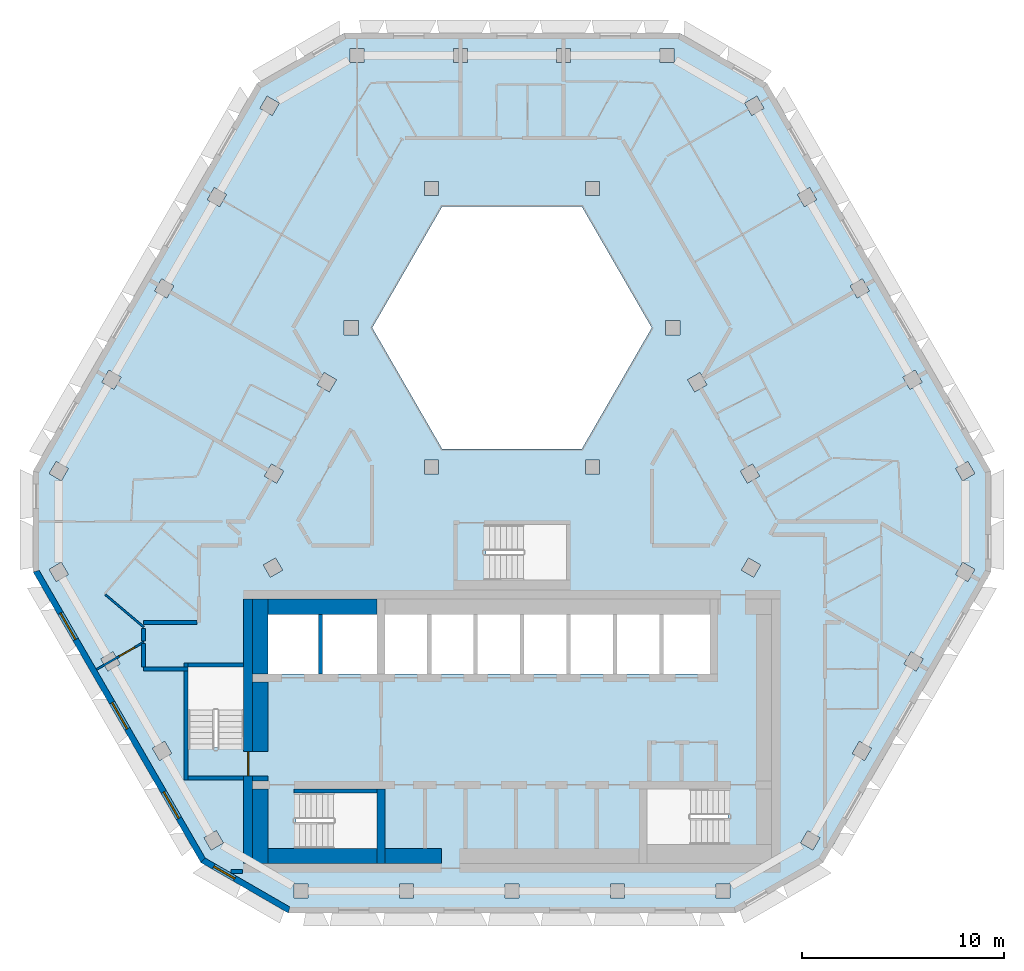
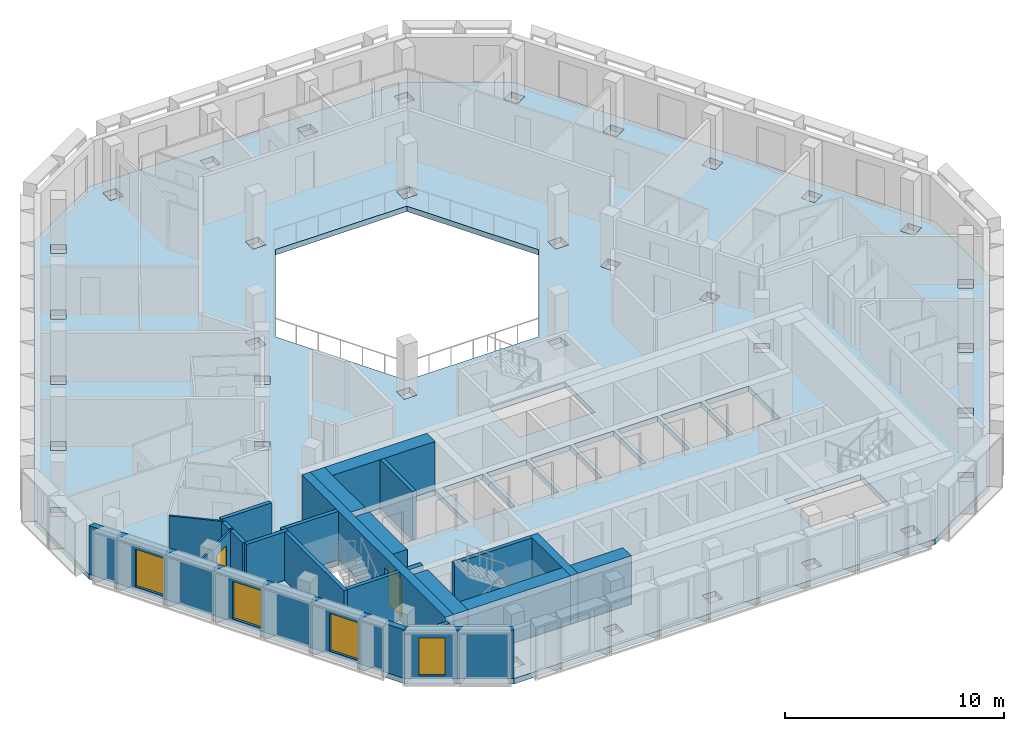
# One storey, part 2 of 15: 23 walls, 4 windows, 2 doors, 1 slab, 6 openings.
"""IFC4 building model written with IfcOpenShell, lengths in metres."""

from ifc_helpers import new_model, si_unit, direction, frame, frame_2d, origin, place, context, subcontext, project, spatial, polyline, rectangle, outline, extrude, material, layer, layer_set, type_object, element, fill, save


model = new_model("IFC4")

# Units and contexts
model_context = context("Model", 3, precision=1e-05, world=origin(), true_north=direction((0.0, 1.0)))
body_context = subcontext(model_context, "Body", "Model", "MODEL_VIEW")
ifc_project = project(units=[si_unit("LENGTHUNIT", "METRE"), si_unit("AREAUNIT", "SQUARE_METRE"), si_unit("VOLUMEUNIT", "CUBIC_METRE"), si_unit("PLANEANGLEUNIT", "RADIAN"), si_unit("MASSUNIT", "GRAM", prefix="KILO")], contexts=[model_context])

# Site, building, storey
site_placement = place(None, origin())
site = spatial("IfcSite", under=ifc_project, at=site_placement, CompositionType="ELEMENT")
building_placement = place(site_placement, origin())
building = spatial("IfcBuilding", under=site, at=building_placement, Name="Beryl Residences", CompositionType="ELEMENT")
storey_placement = place(building_placement, frame((0.0, 0.0, 205.800048828125)))
storey = spatial("IfcBuildingStorey", under=building, at=storey_placement, Name="L63", CompositionType="ELEMENT", Elevation=205.800048828125)

# Slab
ifc_material_1 = material(Name="Concrete C40/50", Category="concrete")
ifc_layer_1 = layer(ifc_material_1, 0.300048828125)
ifc_layer_set_1 = layer_set([ifc_layer_1], Name="SL7 PT floor slab 300 mm C40/50")
slab_type = type_object("IfcSlabType", Name="SL7 PT floor slab 300 mm C40/50", PredefinedType="FLOOR", material=ifc_layer_set_1)
slab_placement = place(storey_placement, frame((0.0, 0.0, -0.300048828125)))
element("IfcSlab", 1, at=slab_placement, inside=storey, type_object=slab_type, Name="L63 slab 1", PredefinedType="FLOOR", context=body_context, shape_type="SweptSolid", body=[
    extrude(outline(polyline([(23.72900390625, -4.10009765625), (15.4150390625, -18.5), (11.0849609375, -21.0), (-11.0849609375, -21.0), (-15.4150390625, -18.5), (-23.72900390625, -4.10009765625), (-23.72900390625, 0.89990234375), (-12.64404296875, 20.10009765625), (-8.31396484375, 22.60009765625), (8.31396484375, 22.60009765625), (12.64404296875, 20.10009765625), (23.72900390625, 0.89990234375), (23.72900390625, -4.10009765625)]), holes=[polyline([(21.97998046875, 1.028076171875), (22.330078125, 0.422119140625), (22.93603515625, 0.77197265625), (22.5859375, 1.3779296875), (21.97998046875, 1.028076171875)]), polyline([(21.97998046875, -4.22900390625), (22.5859375, -4.5791015625), (22.93603515625, -3.972900390625), (22.330078125, -3.623046875), (21.97998046875, -4.22900390625)]), polyline([(19.77099609375, -8.055908203125), (19.4208984375, -8.662109375), (20.027099609375, -9.011962890625), (20.376953125, -8.406005859375), (19.77099609375, -8.055908203125)]), polyline([(19.367919921875, 5.552978515625), (19.718017578125, 4.947021484375), (20.323974609375, 5.297119140625), (19.97412109375, 5.903076171875), (19.367919921875, 5.552978515625)]), polyline([(17.2109375, -12.489013671875), (16.861083984375, -13.094970703125), (17.467041015625, -13.445068359375), (17.81689453125, -12.839111328125), (17.2109375, -12.489013671875)]), polyline([(17.361083984375, 10.427978515625), (16.7548828125, 10.077880859375), (17.10498046875, 9.471923828125), (17.7109375, 9.822021484375), (17.361083984375, 10.427978515625)]), polyline([(15.258056640625, -17.27197265625), (14.652099609375, -16.922119140625), (14.302001953125, -17.528076171875), (14.907958984375, -17.8779296875), (15.258056640625, -17.27197265625)]), polyline([(14.14306640625, 14.60302734375), (14.492919921875, 13.9970703125), (15.09912109375, 14.346923828125), (14.7490234375, 14.952880859375), (14.14306640625, 14.60302734375)]), polyline([(11.531005859375, 19.1279296875), (11.881103515625, 18.52197265625), (12.487060546875, 18.8720703125), (12.136962890625, 19.47802734375), (11.531005859375, 19.1279296875)]), polyline([(11.717041015625, -3.406005859375), (11.366943359375, -4.011962890625), (11.972900390625, -4.362060546875), (12.322998046875, -3.756103515625), (11.717041015625, -3.406005859375)]), polyline([(11.919921875, 1.2529296875), (11.31396484375, 0.903076171875), (11.6640625, 0.297119140625), (12.27001953125, 0.64697265625), (11.919921875, 1.2529296875)]), polyline([(10.800048828125, -19.550048828125), (10.10009765625, -19.550048828125), (10.10009765625, -20.25), (10.800048828125, -20.25), (10.800048828125, -19.550048828125)]), polyline([(6.699951171875, -14.85009765625), (6.699951171875, -17.60009765625), (10.699951171875, -17.60009765625), (10.699951171875, -14.85009765625), (6.699951171875, -14.85009765625)]), polyline([(7.5, -9.14990234375), (9.800048828125, -9.14990234375), (9.800048828125, -6.199951171875), (7.5, -6.199951171875), (7.5, -9.14990234375)]), polyline([(8.700927734375, 5.427978515625), (9.051025390625, 4.822021484375), (9.656982421875, 5.172119140625), (9.306884765625, 5.778076171875), (8.700927734375, 5.427978515625)]), polyline([(8.31689453125, 7.64990234375), (8.31689453125, 8.35009765625), (7.616943359375, 8.35009765625), (7.616943359375, 7.64990234375), (8.31689453125, 7.64990234375)]), polyline([(7.3291015625, 21.85009765625), (7.3291015625, 21.14990234375), (8.029052734375, 21.14990234375), (8.029052734375, 21.85009765625), (7.3291015625, 21.85009765625)]), polyline([(5.199951171875, -9.14990234375), (7.300048828125, -9.14990234375), (7.300048828125, -6.199951171875), (5.199951171875, -6.199951171875), (5.199951171875, -9.14990234375)]), polyline([(3.464111328125, 14.0), (-3.464111328125, 14.0), (-6.92822265625, 8.0), (-3.464111328125, 2.0), (3.464111328125, 2.0), (6.92822265625, 8.0), (3.464111328125, 14.0)]), polyline([(4.875, -19.550048828125), (4.875, -20.25), (5.574951171875, -20.25), (5.574951171875, -19.550048828125), (4.875, -19.550048828125)]), polyline([(2.89990234375, -9.14990234375), (5.0, -9.14990234375), (5.0, -6.199951171875), (2.89990234375, -6.199951171875), (2.89990234375, -9.14990234375)]), polyline([(4.333984375, 15.25), (3.634033203125, 15.25), (3.634033203125, 14.550048828125), (4.333984375, 14.550048828125), (4.333984375, 15.25)]), polyline([(4.333984375, 1.449951171875), (3.634033203125, 1.449951171875), (3.634033203125, 0.75), (4.333984375, 0.75), (4.333984375, 1.449951171875)]), polyline([(2.2099609375, 21.85009765625), (2.2099609375, 21.14990234375), (2.909912109375, 21.14990234375), (2.909912109375, 21.85009765625), (2.2099609375, 21.85009765625)]), polyline([(2.699951171875, -9.14990234375), (2.699951171875, -6.199951171875), (0.60009765625, -6.199951171875), (0.60009765625, -9.14990234375), (2.699951171875, -9.14990234375)]), polyline([(2.699951171875, -4.5), (2.699951171875, -1.75), (-1.300048828125, -1.75), (-1.300048828125, -4.5), (2.699951171875, -4.5)]), polyline([(0.39990234375, -6.199951171875), (-1.699951171875, -6.199951171875), (-1.699951171875, -9.14990234375), (0.39990234375, -9.14990234375), (0.39990234375, -6.199951171875)]), polyline([(0.35009765625, -19.550048828125), (-0.35009765625, -19.550048828125), (-0.35009765625, -20.25), (0.35009765625, -20.25), (0.35009765625, -19.550048828125)]), polyline([(-4.0, -9.14990234375), (-1.89990234375, -9.14990234375), (-1.89990234375, -6.199951171875), (-4.0, -6.199951171875), (-4.0, -9.14990234375)]), polyline([(-2.908935546875, 21.14990234375), (-2.208984375, 21.14990234375), (-2.208984375, 21.85009765625), (-2.908935546875, 21.85009765625), (-2.908935546875, 21.14990234375)]), polyline([(-3.634033203125, 15.25), (-4.333984375, 15.25), (-4.333984375, 14.550048828125), (-3.634033203125, 14.550048828125), (-3.634033203125, 15.25)]), polyline([(-4.333984375, 1.449951171875), (-4.333984375, 0.75), (-3.634033203125, 0.75), (-3.634033203125, 1.449951171875), (-4.333984375, 1.449951171875)]), polyline([(-6.300048828125, -9.14990234375), (-4.199951171875, -9.14990234375), (-4.199951171875, -6.199951171875), (-6.300048828125, -6.199951171875), (-6.300048828125, -9.14990234375)]), polyline([(-4.875, -19.550048828125), (-5.574951171875, -19.550048828125), (-5.574951171875, -20.25), (-4.875, -20.25), (-4.875, -19.550048828125)]), polyline([(-9.39990234375, -6.199951171875), (-9.39990234375, -9.14990234375), (-6.699951171875, -9.14990234375), (-6.699951171875, -6.199951171875), (-9.39990234375, -6.199951171875)]), polyline([(-10.699951171875, -15.050048828125), (-10.699951171875, -17.800048828125), (-6.699951171875, -17.800048828125), (-6.699951171875, -15.050048828125), (-10.699951171875, -15.050048828125)]), polyline([(-8.028076171875, 21.14990234375), (-7.327880859375, 21.14990234375), (-7.327880859375, 21.85009765625), (-8.028076171875, 21.85009765625), (-8.028076171875, 21.14990234375)]), polyline([(-7.616943359375, 7.64990234375), (-7.616943359375, 8.35009765625), (-8.31689453125, 8.35009765625), (-8.31689453125, 7.64990234375), (-7.616943359375, 7.64990234375)]), polyline([(-9.051025390625, 4.822021484375), (-8.700927734375, 5.427978515625), (-9.306884765625, 5.778076171875), (-9.656982421875, 5.172119140625), (-9.051025390625, 4.822021484375)]), polyline([(-12.10009765625, -9.14990234375), (-9.60009765625, -9.14990234375), (-9.60009765625, -6.199951171875), (-12.10009765625, -6.199951171875), (-12.10009765625, -9.14990234375)]), polyline([(-10.800048828125, -19.550048828125), (-10.800048828125, -20.25), (-10.10009765625, -20.25), (-10.10009765625, -19.550048828125), (-10.800048828125, -19.550048828125)]), polyline([(-12.27001953125, 0.64697265625), (-11.6640625, 0.297119140625), (-11.31396484375, 0.903076171875), (-11.919921875, 1.2529296875), (-12.27001953125, 0.64697265625)]), polyline([(-11.972900390625, -4.361083984375), (-11.366943359375, -4.010986328125), (-11.717041015625, -3.405029296875), (-12.322998046875, -3.7548828125), (-11.972900390625, -4.361083984375)]), polyline([(-12.487060546875, 18.8720703125), (-11.881103515625, 18.52197265625), (-11.531005859375, 19.1279296875), (-12.136962890625, 19.47802734375), (-12.487060546875, 18.8720703125)]), polyline([(-13.300048828125, -8.800048828125), (-16.050048828125, -8.800048828125), (-16.050048828125, -12.800048828125), (-13.300048828125, -12.800048828125), (-13.300048828125, -8.800048828125)]), polyline([(-14.14306640625, 14.60302734375), (-14.7490234375, 14.952880859375), (-15.09912109375, 14.346923828125), (-14.492919921875, 13.9970703125), (-14.14306640625, 14.60302734375)]), polyline([(-14.302978515625, -17.527099609375), (-14.653076171875, -16.9208984375), (-15.259033203125, -17.27099609375), (-14.908935546875, -17.876953125), (-14.302978515625, -17.527099609375)]), polyline([(-17.10498046875, 9.471923828125), (-16.7548828125, 10.077880859375), (-17.361083984375, 10.427978515625), (-17.7109375, 9.822021484375), (-17.10498046875, 9.471923828125)]), polyline([(-17.2119140625, -12.488037109375), (-17.818115234375, -12.837890625), (-17.468017578125, -13.444091796875), (-16.862060546875, -13.093994140625), (-17.2119140625, -12.488037109375)]), polyline([(-19.718017578125, 4.947021484375), (-19.367919921875, 5.552978515625), (-19.97412109375, 5.903076171875), (-20.323974609375, 5.297119140625), (-19.718017578125, 4.947021484375)]), polyline([(-19.4208984375, -8.660888671875), (-19.77099609375, -8.054931640625), (-20.376953125, -8.405029296875), (-20.027099609375, -9.010986328125), (-19.4208984375, -8.660888671875)]), polyline([(-22.330078125, 0.422119140625), (-21.97998046875, 1.028076171875), (-22.5859375, 1.3779296875), (-22.93603515625, 0.77197265625), (-22.330078125, 0.422119140625)]), polyline([(-21.98095703125, -4.22802734375), (-22.3310546875, -3.6220703125), (-22.93701171875, -3.971923828125), (-22.5869140625, -4.577880859375), (-21.98095703125, -4.22802734375)])]), origin(), (0.0, 0.0, 1.0), 0.300048828125),
])

# Wall, openings, windows
ifc_material_2 = material(Name="Composite metal panel with mineral wool insulation")
ifc_layer_2 = layer(ifc_material_2, 0.300048828125)
ifc_layer_set_2 = layer_set([ifc_layer_2], Name="ES1 pale metal composite panel wall 300 mm")
wall_type_1 = type_object("IfcWallType", Name="ES1 pale metal composite panel wall 300 mm", PredefinedType="SOLIDWALL", material=ifc_layer_set_2)
wall_1_placement = place(storey_placement, frame((-23.59912109375, -4.02490234375, 0.0), z_axis=(0.0, 0.0, 1.0), x_axis=(0.500012653391, -0.866018098222, 0.0)))
wall_1 = element("IfcWall", 2, at=wall_1_placement, inside=storey, type_object=wall_type_1, Name="ES1 external wall L63 SW", PredefinedType="SOLIDWALL", context=body_context, shape_type="SweptSolid", body=[
    extrude(outline(polyline([(0.0, -0.14990234375), (16.6279296875, -0.14990234375), (16.547607421875, 0.14990234375), (0.080322265625, 0.14990234375), (0.0, -0.14990234375)])), origin(), (0.0, 0.0, 1.0), 2.699951171875),
])
opening_1_placement = place(wall_1_placement, frame((2.444091796875, 0.0, 0.14990234375)))
opening_1 = element("IfcOpeningElement", 3, at=opening_1_placement, cuts=wall_1, Name="Opening W1", PredefinedType="OPENING", context=body_context, shape_type="SweptSolid", body=[
    extrude(rectangle(XDim=1.5, YDim=2.10009765625, at=frame_2d((0.75, 1.050048828125))), frame((0.0, 0.159912109375, 0.0), z_axis=(0.0, -1.0, 0.0), x_axis=(1.0, 0.0, 0.0)), (0.0, 0.0, 1.0), 0.320068359375),
])
opening_2_placement = place(wall_1_placement, frame((7.56396484375, 0.0, 0.14990234375)))
opening_2 = element("IfcOpeningElement", 4, at=opening_2_placement, cuts=wall_1, Name="Opening W1", PredefinedType="OPENING", context=body_context, shape_type="SweptSolid", body=[
    extrude(rectangle(XDim=1.5, YDim=2.10009765625, at=frame_2d((0.75, 1.050048828125))), frame((0.0, 0.159912109375, 0.0), z_axis=(0.0, -1.0, 0.0), x_axis=(1.0, 0.0, 0.0)), (0.0, 0.0, 1.0), 0.320068359375),
])
opening_3_placement = place(wall_1_placement, frame((12.681884765625, 0.0, 0.14990234375)))
opening_3 = element("IfcOpeningElement", 5, at=opening_3_placement, cuts=wall_1, Name="Opening W1", PredefinedType="OPENING", context=body_context, shape_type="SweptSolid", body=[
    extrude(rectangle(XDim=1.5, YDim=2.10009765625, at=frame_2d((0.75, 1.050048828125))), frame((0.0, 0.159912109375, 0.0), z_axis=(0.0, -1.0, 0.0), x_axis=(1.0, 0.0, 0.0)), (0.0, 0.0, 1.0), 0.320068359375),
])
ifc_material_3 = material(Name="Aluminium and clear glass", Category="aluminium")
window_type_1 = type_object("IfcWindowType", Name="W1 cell window 1500 x 2100 mm", PartitioningType="SINGLE_PANEL", PredefinedType="WINDOW", material=ifc_material_3)
window_1_placement = place(opening_1_placement, origin())
window_1 = element("IfcWindow", 6, at=window_1_placement, inside=storey, type_object=window_type_1, Name="W1 window L63 SW 2", OverallHeight=2.10009765625, OverallWidth=1.5, PartitioningType="SINGLE_PANEL", PredefinedType="WINDOW", context=body_context, shape_type="SweptSolid", body=[
    extrude(rectangle(XDim=1.5, YDim=2.10009765625, at=frame_2d((0.75, 1.050048828125))), frame((0.0, 0.030029296875, 0.0), z_axis=(0.0, -1.0, 0.0), x_axis=(1.0, 0.0, 0.0)), (0.0, 0.0, 1.0), 0.06005859375),
])
fill(opening_1, window_1)
window_2_placement = place(opening_2_placement, origin())
window_2 = element("IfcWindow", 7, at=window_2_placement, inside=storey, type_object=window_type_1, Name="W1 window L63 SW 4", OverallHeight=2.10009765625, OverallWidth=1.5, PartitioningType="SINGLE_PANEL", PredefinedType="WINDOW", context=body_context, shape_type="SweptSolid", body=[
    extrude(rectangle(XDim=1.5, YDim=2.10009765625, at=frame_2d((0.75, 1.050048828125))), frame((0.0, 0.030029296875, 0.0), z_axis=(0.0, -1.0, 0.0), x_axis=(1.0, 0.0, 0.0)), (0.0, 0.0, 1.0), 0.06005859375),
])
fill(opening_2, window_2)
window_3_placement = place(opening_3_placement, origin())
window_3 = element("IfcWindow", 8, at=window_3_placement, inside=storey, type_object=window_type_1, Name="W1 window L63 SW 6", OverallHeight=2.10009765625, OverallWidth=1.5, PartitioningType="SINGLE_PANEL", PredefinedType="WINDOW", context=body_context, shape_type="SweptSolid", body=[
    extrude(rectangle(XDim=1.5, YDim=2.10009765625, at=frame_2d((0.75, 1.050048828125))), frame((0.0, 0.030029296875, 0.0), z_axis=(0.0, -1.0, 0.0), x_axis=(1.0, 0.0, 0.0)), (0.0, 0.0, 1.0), 0.06005859375),
])
fill(opening_3, window_3)

# Wall, opening, window
wall_2_placement = place(storey_placement, frame((-15.340087890625, -18.3701171875, 0.0), z_axis=(0.0, 0.0, 1.0), x_axis=(0.866022959057, -0.500004234368, 0.0)))
wall_2 = element("IfcWall", 9, at=wall_2_placement, inside=storey, type_object=wall_type_1, Name="ES1 external wall L63 SW-S", PredefinedType="SOLIDWALL", context=body_context, shape_type="SweptSolid", body=[
    extrude(outline(polyline([(0.0, -0.14990234375), (5.0, -0.14990234375), (4.919677734375, 0.14990234375), (0.080322265625, 0.14990234375), (0.0, -0.14990234375)])), origin(), (0.0, 0.0, 1.0), 2.699951171875),
])
opening_4_placement = place(wall_2_placement, frame((0.64990234375, 0.0, 0.14990234375)))
opening_4 = element("IfcOpeningElement", 10, at=opening_4_placement, cuts=wall_2, Name="Opening W2", PredefinedType="OPENING", context=body_context, shape_type="SweptSolid", body=[
    extrude(rectangle(XDim=1.199951171875, YDim=2.10009765625, at=frame_2d((0.60009765625, 1.050048828125))), frame((0.0, 0.159912109375, 0.0), z_axis=(0.0, -1.0, 0.0), x_axis=(1.0, 0.0, 0.0)), (0.0, 0.0, 1.0), 0.320068359375),
])
ifc_material_4 = material(Name="Aluminium and clear glass", Category="aluminium")
window_type_2 = type_object("IfcWindowType", Name="W2 chamfer window 1200 x 2100 mm", PartitioningType="SINGLE_PANEL", PredefinedType="WINDOW", material=ifc_material_4)
window_4_placement = place(opening_4_placement, origin())
window_4 = element("IfcWindow", 11, at=window_4_placement, inside=storey, type_object=window_type_2, Name="W2 window L63 SW-S 1", OverallHeight=2.10009765625, OverallWidth=1.199951171875, PartitioningType="SINGLE_PANEL", PredefinedType="WINDOW", context=body_context, shape_type="SweptSolid", body=[
    extrude(rectangle(XDim=1.199951171875, YDim=2.10009765625, at=frame_2d((0.60009765625, 1.050048828125))), frame((0.0, 0.030029296875, 0.0), z_axis=(0.0, -1.0, 0.0), x_axis=(1.0, 0.0, 0.0)), (0.0, 0.0, 1.0), 0.06005859375),
])
fill(opening_4, window_4)

# Wall
ifc_material_5 = material(Name="Gypsum board partition on steel studs", Category="steel")
ifc_layer_3 = layer(ifc_material_5, 0.10009765625)
ifc_layer_set_3 = layer_set([ifc_layer_3], Name="PT1 partition 100 mm gypsum board on steel studs")
wall_type_2 = type_object("IfcWallType", Name="PT1 partition 100 mm gypsum board on steel studs", PredefinedType="PARTITIONING", material=ifc_layer_set_3)
wall_3_placement = place(storey_placement, frame((-20.14990234375, -5.222900390625, 0.0), z_axis=(0.0, 0.0, 1.0), x_axis=(0.763471868926, -0.645841083672, 0.0)))
element("IfcWall", 12, at=wall_3_placement, inside=storey, type_object=wall_type_2, Name="Wall PT1 L63 021", PredefinedType="PARTITIONING", context=body_context, shape_type="SweptSolid", body=[
    extrude(rectangle(XDim=2.488525390625, YDim=0.10009765625, at=frame_2d((1.244140625, 0.0))), origin(), (0.0, 0.0, 1.0), 2.699951171875),
])

# Wall, opening, door
wall_4_placement = place(storey_placement, frame((-20.592041015625, -8.93310546875, 0.0), z_axis=(0.0, 0.0, 1.0), x_axis=(0.866045775131, 0.499964714133, 0.0)))
wall_4 = element("IfcWall", 13, at=wall_4_placement, inside=storey, type_object=wall_type_2, Name="Wall PT1 L63 050", PredefinedType="PARTITIONING", context=body_context, shape_type="SweptSolid", body=[
    extrude(rectangle(XDim=2.704345703125, YDim=0.10009765625, at=frame_2d((1.35205078125, 0.0))), origin(), (0.0, 0.0, 1.0), 2.699951171875),
])
opening_5_placement = place(wall_4_placement, frame((1.302001953125, 0.0, 0.0)))
opening_5 = element("IfcOpeningElement", 14, at=opening_5_placement, cuts=wall_4, Name="Opening D2128", PredefinedType="OPENING", context=body_context, shape_type="SweptSolid", body=[
    extrude(rectangle(XDim=0.89990234375, YDim=2.10009765625, at=frame_2d((0.449951171875, 1.050048828125))), frame((0.0, 0.06005859375, 0.0), z_axis=(0.0, -1.0, 0.0), x_axis=(1.0, 0.0, 0.0)), (0.0, 0.0, 1.0), 0.1201171875),
])
ifc_material_6 = material(Name="Timber door leaf", Category="wood")
door_type_1 = type_object("IfcDoorType", Name="D2 room door 900 x 2100 mm", OperationType="SINGLE_SWING_LEFT", PredefinedType="DOOR", material=ifc_material_6)
door_1_placement = place(opening_5_placement, origin())
door_1 = element("IfcDoor", 15, at=door_1_placement, inside=storey, type_object=door_type_1, Name="Door D2128 L63 001", OperationType="SINGLE_SWING_RIGHT", OverallHeight=2.10009765625, OverallWidth=0.89990234375, PredefinedType="DOOR", context=body_context, shape_type="SweptSolid", body=[
    extrude(rectangle(XDim=0.89990234375, YDim=2.10009765625, at=frame_2d((0.449951171875, 1.050048828125))), frame((0.0, 0.02490234375, 0.0), z_axis=(0.0, -1.0, 0.0), x_axis=(1.0, 0.0, 0.0)), (0.0, 0.0, 1.0), 0.050048828125),
])
fill(opening_5, door_1)

# Walls
ifc_material_7 = material(Name="Concrete masonry", Category="masonry")
ifc_layer_4 = layer(ifc_material_7, 0.25)
ifc_layer_set_4 = layer_set([ifc_layer_4], Name="PT13-250 lobby wall 250 mm")
wall_type_3 = type_object("IfcWallType", Name="PT13-250 lobby wall 250 mm", PredefinedType="PARTITIONING", material=ifc_layer_set_4)
wall_5_placement = place(storey_placement, frame((-12.85009765625, -14.324951171875, 0.0), z_axis=(0.0, 0.0, 1.0), x_axis=(1.0, 0.0, 0.0)))
element("IfcWall", 16, at=wall_5_placement, inside=storey, type_object=wall_type_3, Name="Lobby wall 05", PredefinedType="PARTITIONING", context=body_context, shape_type="SweptSolid", body=[
    extrude(rectangle(XDim=0.75, YDim=0.25, at=frame_2d((0.375, 0.0))), origin(), (0.0, 0.0, 1.0), 2.699951171875),
])
ifc_material_8 = material(Name="Concrete masonry", Category="masonry")
ifc_layer_5 = layer(ifc_material_8, 0.75)
ifc_layer_set_5 = layer_set([ifc_layer_5], Name="PT13-750 lobby wall 750 mm")
wall_type_4 = type_object("IfcWallType", Name="PT13-750 lobby wall 750 mm", PredefinedType="PARTITIONING", material=ifc_layer_set_5)
wall_6_placement = place(storey_placement, frame((-12.47509765625, -13.0, 0.0), z_axis=(0.0, 0.0, 1.0), x_axis=(0.0, 1.0, 0.0)))
element("IfcWall", 17, at=wall_6_placement, inside=storey, type_object=wall_type_4, Name="Lobby wall 06", PredefinedType="PARTITIONING", context=body_context, shape_type="SweptSolid", body=[
    extrude(rectangle(XDim=3.449951171875, YDim=0.75, at=frame_2d((1.72509765625, 0.0))), origin(), (0.0, 0.0, 1.0), 2.699951171875),
])
ifc_material_9 = material(Name="Acoustic double stud gypsum board wall")
ifc_layer_6 = layer(ifc_material_9, 0.199951171875)
ifc_layer_set_6 = layer_set([ifc_layer_6], Name="PT3 party wall 200 mm acoustic double stud")
wall_type_5 = type_object("IfcWallType", Name="PT3 party wall 200 mm acoustic double stud", PredefinedType="PARTITIONING", material=ifc_layer_set_6)
wall_7_placement = place(storey_placement, frame((-13.9150390625, -18.949951171875, 0.0), z_axis=(0.0, 0.0, 1.0), x_axis=(1.0, 0.0, 0.0)))
element("IfcWall", 18, at=wall_7_placement, inside=storey, type_object=wall_type_5, Name="Wall PT3 L63 013", PredefinedType="PARTITIONING", context=body_context, shape_type="SweptSolid", body=[
    extrude(rectangle(XDim=0.554931640625, YDim=0.199951171875, at=frame_2d((0.27734375, 0.0))), origin(), (0.0, 0.0, 1.0), 2.699951171875),
])
ifc_material_10 = material(Name="Double stud gypsum board wall")
ifc_layer_7 = layer(ifc_material_10, 0.199951171875)
ifc_layer_set_7 = layer_set([ifc_layer_7], Name="PT4 corridor wall 200 mm double stud")
wall_type_6 = type_object("IfcWallType", Name="PT4 corridor wall 200 mm double stud", PredefinedType="PARTITIONING", material=ifc_layer_set_7)
wall_8_placement = place(storey_placement, frame((-18.25, -7.638916015625, 0.0), z_axis=(0.0, 0.0, 1.0), x_axis=(0.0, -1.0, 0.0)))
element("IfcWall", 19, at=wall_8_placement, inside=storey, type_object=wall_type_6, Name="Wall PT4 L63 008", PredefinedType="PARTITIONING", context=body_context, shape_type="SweptSolid", body=[
    extrude(rectangle(XDim=1.16015625, YDim=0.199951171875, at=frame_2d((0.580078125, 0.0))), origin(), (0.0, 0.0, 1.0), 2.699951171875),
])
wall_9_placement = place(storey_placement, frame((-18.2490234375, -6.60009765625, 0.0), z_axis=(0.0, 0.0, 1.0), x_axis=(1.0, 0.0, 0.0)))
element("IfcWall", 20, at=wall_9_placement, inside=storey, type_object=wall_type_6, Name="Wall PT4 L63 011", PredefinedType="PARTITIONING", context=body_context, shape_type="SweptSolid", body=[
    extrude(rectangle(XDim=2.64794921875, YDim=0.199951171875, at=frame_2d((1.323974609375, 0.0))), origin(), (0.0, 0.0, 1.0), 2.699951171875),
])
wall_10_placement = place(storey_placement, frame((-18.2490234375, -8.89990234375, 0.0), z_axis=(0.0, 0.0, 1.0), x_axis=(1.0, 0.0, 0.0)))
element("IfcWall", 21, at=wall_10_placement, inside=storey, type_object=wall_type_6, Name="Wall PT4 L63 012", PredefinedType="PARTITIONING", context=body_context, shape_type="SweptSolid", body=[
    extrude(rectangle(XDim=2.198974609375, YDim=0.199951171875, at=frame_2d((1.099609375, 0.0))), origin(), (0.0, 0.0, 1.0), 2.699951171875),
])
wall_11_placement = place(storey_placement, frame((-18.25, -7.52294921875, 0.0), z_axis=(0.0, 0.0, 1.0), x_axis=(0.0, 1.0, 0.0)))
element("IfcWall", 22, at=wall_11_placement, inside=storey, type_object=wall_type_6, Name="Wall PT4 L63 031", PredefinedType="PARTITIONING", context=body_context, shape_type="SweptSolid", body=[
    extrude(rectangle(XDim=0.6279296875, YDim=0.199951171875, at=frame_2d((0.31396484375, 0.0))), origin(), (0.0, 0.0, 1.0), 2.699951171875),
])
ifc_material_11 = material(Name="Concrete C40/50", Category="concrete")
ifc_layer_8 = layer(ifc_material_11, 0.199951171875)
ifc_layer_set_8 = layer_set([ifc_layer_8], Name="PT5 stair enclosure wall 200 mm reinforced concrete C40/50")
wall_type_7 = type_object("IfcWallType", Name="PT5 stair enclosure wall 200 mm reinforced concrete C40/50", PredefinedType="SOLIDWALL", material=ifc_layer_set_8)
wall_12_placement = place(storey_placement, frame((-16.14990234375, -14.39990234375, 0.0), z_axis=(0.0, 0.0, 1.0), x_axis=(0.0, 1.0, 0.0)))
element("IfcWall", 23, at=wall_12_placement, inside=storey, type_object=wall_type_7, Name="Stair wall 01", PredefinedType="SOLIDWALL", context=body_context, shape_type="SweptSolid", body=[
    extrude(rectangle(XDim=5.7998046875, YDim=0.199951171875, at=frame_2d((2.89990234375, 0.0))), origin(), (0.0, 0.0, 1.0), 2.699951171875),
])
for number, where, z_axis, x_axis, name in (
    (24, (-16.050048828125, -14.300048828125, 0.0), (0.0, 0.0, 1.0), (1.0, 0.0, 0.0), "Stair wall 02"),
    (25, (-16.050048828125, -8.699951171875, 0.0), (0.0, 0.0, 1.0), (1.0, 0.0, 0.0), "Stair wall 03"),
):
    element("IfcWall", number, at=place(storey_placement, frame(where, z_axis=z_axis, x_axis=x_axis)), inside=storey, type_object=wall_type_7, Name=name, PredefinedType="SOLIDWALL", context=body_context, shape_type="SweptSolid", body=[
        extrude(rectangle(XDim=2.75, YDim=0.199951171875, at=frame_2d((1.375, 0.0))), origin(), (0.0, 0.0, 1.0), 2.699951171875),
    ])
wall_13_placement = place(storey_placement, frame((-10.800048828125, -14.949951171875, 0.0), z_axis=(0.0, 0.0, 1.0), x_axis=(1.0, 0.0, 0.0)))
element("IfcWall", 26, at=wall_13_placement, inside=storey, type_object=wall_type_7, Name="Stair wall 10", PredefinedType="SOLIDWALL", context=body_context, shape_type="SweptSolid", body=[
    extrude(rectangle(XDim=4.10009765625, YDim=0.199951171875, at=frame_2d((2.050048828125, 0.0))), origin(), (0.0, 0.0, 1.0), 2.699951171875),
])
ifc_material_12 = material(Name="Concrete C40/50", Category="concrete")
ifc_layer_9 = layer(ifc_material_12, 0.75)
ifc_layer_set_9 = layer_set([ifc_layer_9], Name="PT5-750 stair enclosure wall 750 mm")
wall_type_8 = type_object("IfcWallType", Name="PT5-750 stair enclosure wall 750 mm", PredefinedType="SOLIDWALL", material=ifc_layer_set_9)
wall_14_placement = place(storey_placement, frame((-12.47509765625, -18.550048828125, 0.0), z_axis=(0.0, 0.0, 1.0), x_axis=(0.0, 1.0, 0.0)))
element("IfcWall", 27, at=wall_14_placement, inside=storey, type_object=wall_type_8, Name="Stair wall 04", PredefinedType="SOLIDWALL", context=body_context, shape_type="SweptSolid", body=[
    extrude(rectangle(XDim=3.699951171875, YDim=0.75, at=frame_2d((1.85009765625, 0.0))), origin(), (0.0, 0.0, 1.0), 2.699951171875),
])
wall_15_placement = place(storey_placement, frame((-12.10009765625, -18.175048828125, 0.0), z_axis=(0.0, 0.0, 1.0), x_axis=(1.0, 0.0, 0.0)))
element("IfcWall", 28, at=wall_15_placement, inside=storey, type_object=wall_type_8, Name="Stair wall 08", PredefinedType="SOLIDWALL", context=body_context, shape_type="SweptSolid", body=[
    extrude(rectangle(XDim=5.400146484375, YDim=0.75, at=frame_2d((2.7001953125, 0.0))), origin(), (0.0, 0.0, 1.0), 2.699951171875),
])
ifc_material_13 = material(Name="Concrete C40/50", Category="concrete")
ifc_layer_10 = layer(ifc_material_13, 0.199951171875)
ifc_layer_set_10 = layer_set([ifc_layer_10], Name="PT6 lift shaft wall 200 mm reinforced concrete C40/50")
wall_type_9 = type_object("IfcWallType", Name="PT6 lift shaft wall 200 mm reinforced concrete C40/50", PredefinedType="SOLIDWALL", material=ifc_layer_set_10)
wall_16_placement = place(storey_placement, frame((-9.5, -9.14990234375, 0.0), z_axis=(0.0, 0.0, 1.0), x_axis=(0.0, 1.0, 0.0)))
element("IfcWall", 29, at=wall_16_placement, inside=storey, type_object=wall_type_9, Name="Lift shaft wall 11", PredefinedType="SOLIDWALL", context=body_context, shape_type="SweptSolid", body=[
    extrude(rectangle(XDim=2.949951171875, YDim=0.199951171875, at=frame_2d((1.47509765625, 0.0))), origin(), (0.0, 0.0, 1.0), 2.699951171875),
])
ifc_material_14 = material(Name="Concrete C40/50", Category="concrete")
ifc_layer_11 = layer(ifc_material_14, 0.75)
ifc_layer_set_11 = layer_set([ifc_layer_11], Name="PT6-750 lift shaft wall 750 mm")
wall_type_10 = type_object("IfcWallType", Name="PT6-750 lift shaft wall 750 mm", PredefinedType="SOLIDWALL", material=ifc_layer_set_11)
wall_17_placement = place(storey_placement, frame((-12.47509765625, -9.14990234375, 0.0), z_axis=(0.0, 0.0, 1.0), x_axis=(0.0, 1.0, 0.0)))
element("IfcWall", 30, at=wall_17_placement, inside=storey, type_object=wall_type_10, Name="Lift shaft wall 07", PredefinedType="SOLIDWALL", context=body_context, shape_type="SweptSolid", body=[
    extrude(rectangle(XDim=3.699951171875, YDim=0.75, at=frame_2d((1.85009765625, 0.0))), origin(), (0.0, 0.0, 1.0), 2.699951171875),
])
wall_18_placement = place(storey_placement, frame((-12.10009765625, -5.824951171875, 0.0), z_axis=(0.0, 0.0, 1.0), x_axis=(1.0, 0.0, 0.0)))
element("IfcWall", 31, at=wall_18_placement, inside=storey, type_object=wall_type_10, Name="Lift shaft wall 09", PredefinedType="SOLIDWALL", context=body_context, shape_type="SweptSolid", body=[
    extrude(rectangle(XDim=5.400146484375, YDim=0.75, at=frame_2d((2.7001953125, 0.0))), origin(), (0.0, 0.0, 1.0), 2.699951171875),
])
ifc_material_15 = material(Name="Concrete masonry", Category="masonry")
ifc_layer_12 = layer(ifc_material_15, 0.75)
ifc_layer_set_12 = layer_set([ifc_layer_12], Name="PT8-750 service room wall 750 mm")
wall_type_11 = type_object("IfcWallType", Name="PT8-750 service room wall 750 mm", PredefinedType="PARTITIONING", material=ifc_layer_set_12)
wall_19_placement = place(storey_placement, frame((-6.300048828125, -18.175048828125, 0.0), z_axis=(0.0, 0.0, 1.0), x_axis=(1.0, 0.0, 0.0)))
element("IfcWall", 32, at=wall_19_placement, inside=storey, type_object=wall_type_11, Name="Core room wall 13", PredefinedType="PARTITIONING", context=body_context, shape_type="SweptSolid", body=[
    extrude(rectangle(XDim=2.800048828125, YDim=0.75, at=frame_2d((1.39990234375, 0.0))), origin(), (0.0, 0.0, 1.0), 2.699951171875),
])
ifc_material_16 = material(Name="Concrete C50/60", Category="concrete")
ifc_layer_13 = layer(ifc_material_16, 0.39990234375)
ifc_layer_set_13 = layer_set([ifc_layer_13], Name="SW10 core internal wall 400 mm C50/60")
wall_type_12 = type_object("IfcWallType", Name="SW10 core internal wall 400 mm C50/60", PredefinedType="SHEAR", material=ifc_layer_set_13)
wall_20_placement = place(storey_placement, frame((-6.5, -18.550048828125, 0.0), z_axis=(0.0, 0.0, 1.0), x_axis=(0.0, 1.0, 0.0)))
element("IfcWall", 33, at=wall_20_placement, inside=storey, type_object=wall_type_12, Name="Core wall XS1 L63", PredefinedType="SHEAR", context=body_context, shape_type="SweptSolid", body=[
    extrude(rectangle(XDim=3.699951171875, YDim=0.39990234375, at=frame_2d((1.85009765625, 0.0))), origin(), (0.0, 0.0, 1.0), 2.699951171875),
])

# Wall, opening, door
ifc_material_17 = material(Name="Concrete C50/60", Category="concrete")
ifc_layer_14 = layer(ifc_material_17, 0.449951171875)
ifc_layer_set_14 = layer_set([ifc_layer_14], Name="SW5 core outer wall 450 mm C50/60")
wall_type_13 = type_object("IfcWallType", Name="SW5 core outer wall 450 mm C50/60", PredefinedType="SHEAR", material=ifc_layer_set_14)
wall_21_placement = place(storey_placement, frame((-13.074951171875, -18.550048828125, 0.0), z_axis=(0.0, 0.0, 1.0), x_axis=(0.0, 1.0, 0.0)))
wall_21 = element("IfcWall", 34, at=wall_21_placement, inside=storey, type_object=wall_type_13, Name="Core wall W L63", PredefinedType="SHEAR", context=body_context, shape_type="SweptSolid", body=[
    extrude(rectangle(XDim=13.10009765625, YDim=0.449951171875, at=frame_2d((6.550048828125, 0.0))), origin(), (0.0, 0.0, 1.0), 2.699951171875),
])
opening_6_placement = place(wall_21_placement, frame((4.35009765625, 0.0, 0.0)))
opening_6 = element("IfcOpeningElement", 35, at=opening_6_placement, cuts=wall_21, Name="Opening SD-2", PredefinedType="OPENING", context=body_context, shape_type="SweptSolid", body=[
    extrude(rectangle(XDim=1.199951171875, YDim=2.10009765625, at=frame_2d((0.60009765625, 1.050048828125))), frame((0.0, 0.23486328125, 0.0), z_axis=(0.0, -1.0, 0.0), x_axis=(1.0, 0.0, 0.0)), (0.0, 0.0, 1.0), 0.469970703125),
])
ifc_material_18 = material(Name="Steel door leaf in steel frame", Category="steel")
door_type_2 = type_object("IfcDoorType", Name="D4 stair door 1200 x 2100 mm", OperationType="SINGLE_SWING_LEFT", PredefinedType="DOOR", material=ifc_material_18)
door_2_placement = place(opening_6_placement, origin())
door_2 = element("IfcDoor", 36, at=door_2_placement, inside=storey, type_object=door_type_2, Name="Door SD-2 L63 001", OperationType="SINGLE_SWING_RIGHT", OverallHeight=2.10009765625, OverallWidth=1.199951171875, PredefinedType="DOOR", context=body_context, shape_type="SweptSolid", body=[
    extrude(rectangle(XDim=1.199951171875, YDim=2.10009765625, at=frame_2d((0.60009765625, 1.050048828125))), frame((0.0, 0.02490234375, 0.0), z_axis=(0.0, -1.0, 0.0), x_axis=(1.0, 0.0, 0.0)), (0.0, 0.0, 1.0), 0.050048828125),
])
fill(opening_6, door_2)

save(model, "model.ifc")
